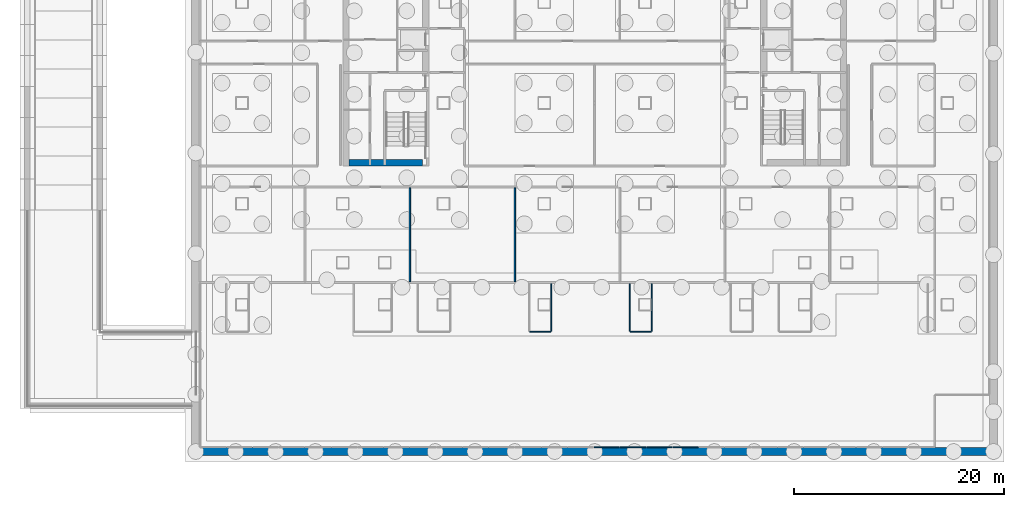
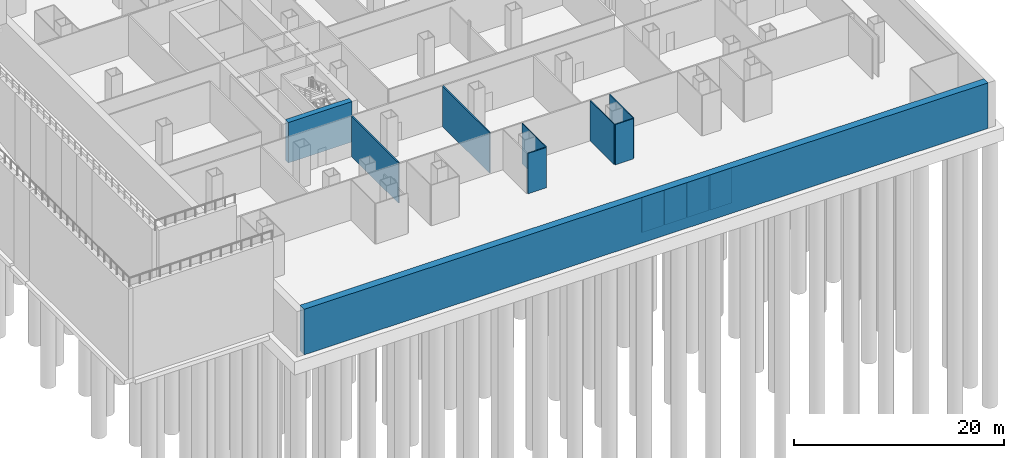
# One storey, part 6 of 17: 13 walls.
"""IFC4 building model written with IfcOpenShell, lengths in metres."""

from ifc_helpers import new_model, si_unit, direction, frame, frame_2d, origin, place, context, subcontext, project, spatial, rectangle, extrude, material, layer, layer_set, type_object, element, save


model = new_model("IFC4")

# Units and contexts
model_context = context("Model", 3, precision=1e-05, world=origin(), true_north=direction((0.0, 1.0)))
body_context = subcontext(model_context, "Body", "Model", "MODEL_VIEW")
ifc_project = project(units=[si_unit("LENGTHUNIT", "METRE"), si_unit("AREAUNIT", "SQUARE_METRE"), si_unit("VOLUMEUNIT", "CUBIC_METRE"), si_unit("PLANEANGLEUNIT", "RADIAN"), si_unit("MASSUNIT", "GRAM", prefix="KILO")], contexts=[model_context])

# Site, building, storey
site_placement = place(None, origin())
site = spatial("IfcSite", under=ifc_project, at=site_placement, CompositionType="ELEMENT")
building_placement = place(site_placement, origin())
building = spatial("IfcBuilding", under=site, at=building_placement, Name="Cobrizo Arcos Hotel Tower", CompositionType="ELEMENT")
storey_placement = place(building_placement, frame((0.0, 0.0, -10.0)))
storey = spatial("IfcBuildingStorey", under=building, at=storey_placement, Name="B2", CompositionType="ELEMENT", Elevation=-10.0)

# Walls
ifc_material_1 = material(Name="Gypsum board partition")
ifc_layer_1 = layer(ifc_material_1, 0.14990234375)
ifc_layer_set_1 = layer_set([ifc_layer_1], Name="Corridor wall EI 60 150")
wall_type_1 = type_object("IfcWallType", Name="Corridor wall EI 60 150", PredefinedType="PARTITIONING", material=ifc_layer_set_1)
for number, where, z_axis, x_axis, name in (
    (1, (-17.60009765625, -21.824951171875, 0.0), (0.0, 0.0, 1.0), (0.0, 1.0, 0.0), "Partition 168"),
    (2, (-7.60009765625, -21.824951171875, 0.0), (0.0, 0.0, 1.0), (0.0, 1.0, 0.0), "Partition 179"),
):
    element("IfcWall", number, at=place(storey_placement, frame(where, z_axis=z_axis, x_axis=x_axis)), inside=storey, type_object=wall_type_1, Name=name, PredefinedType="PARTITIONING", context=body_context, shape_type="SweptSolid", body=[
        extrude(rectangle(XDim=8.949951171875, YDim=0.14990234375, at=frame_2d((4.47509765625, 0.0))), origin(), (0.0, 0.0, 1.0), 4.699951171875),
    ])
ifc_layer_2 = layer(ifc_material_1, 0.10009765625)
ifc_layer_set_2 = layer_set([ifc_layer_2], Name="Partition EI 30 100")
wall_type_2 = type_object("IfcWallType", Name="Partition EI 30 100", PredefinedType="PARTITIONING", material=ifc_layer_set_2)
for number, where, z_axis, x_axis, name in (
    (3, (-0.050048828125, -37.60009765625, 0.0), (0.0, 0.0, 1.0), (1.0, 0.0, 0.0), "Partition 016"),
    (4, (2.449951171875, -37.60009765625, 0.0), (0.0, 0.0, 1.0), (1.0, 0.0, 0.0), "Partition 017"),
    (5, (4.949951171875, -37.60009765625, 0.0), (0.0, 0.0, 1.0), (1.0, 0.0, 0.0), "Partition 018"),
    (6, (7.449951171875, -37.60009765625, 0.0), (0.0, 0.0, 1.0), (1.0, 0.0, 0.0), "Partition 019"),
):
    element("IfcWall", number, at=place(storey_placement, frame(where, z_axis=z_axis, x_axis=x_axis)), inside=storey, type_object=wall_type_2, Name=name, PredefinedType="PARTITIONING", context=body_context, shape_type="SweptSolid", body=[
        extrude(rectangle(XDim=2.400146484375, YDim=0.10009765625, at=frame_2d((1.2001953125, 0.0))), origin(), (0.0, 0.0, 1.0), 4.077880859375),
    ])
for number, where, z_axis, x_axis, name in (
    (7, (-6.199951171875, -26.60009765625, 0.0), (0.0, 0.0, 1.0), (1.0, 0.0, 0.0), "Partition 033"),
    (8, (3.39990234375, -26.60009765625, 0.0), (0.0, 0.0, 1.0), (1.0, 0.0, 0.0), "Partition 034"),
):
    element("IfcWall", number, at=place(storey_placement, frame(where, z_axis=z_axis, x_axis=x_axis)), inside=storey, type_object=wall_type_2, Name=name, PredefinedType="PARTITIONING", context=body_context, shape_type="SweptSolid", body=[
        extrude(rectangle(XDim=2.0, YDim=0.10009765625, at=frame_2d((1.0, 0.0))), origin(), (0.0, 0.0, 1.0), 4.699951171875),
    ])
for number, where, z_axis, x_axis, name in (
    (9, (-4.14990234375, -26.550048828125, 0.0), (0.0, 0.0, 1.0), (0.0, 1.0, 0.0), "Partition 184"),
    (10, (3.35009765625, -26.550048828125, 0.0), (0.0, 0.0, 1.0), (0.0, 1.0, 0.0), "Partition 193"),
    (11, (5.449951171875, -26.550048828125, 0.0), (0.0, 0.0, 1.0), (0.0, 1.0, 0.0), "Partition 195"),
):
    element("IfcWall", number, at=place(storey_placement, frame(where, z_axis=z_axis, x_axis=x_axis)), inside=storey, type_object=wall_type_2, Name=name, PredefinedType="PARTITIONING", context=body_context, shape_type="SweptSolid", body=[
        extrude(rectangle(XDim=4.525146484375, YDim=0.10009765625, at=frame_2d((2.2626953125, 0.0))), origin(), (0.0, 0.0, 1.0), 4.699951171875),
    ])
ifc_material_2 = material(Name="Concrete f'c 60 MPa", Category="concrete")
ifc_layer_3 = layer(ifc_material_2, 0.60009765625)
ifc_layer_set_3 = layer_set([ifc_layer_3], Name="RC core wall 600 f'c 60")
wall_type_3 = type_object("IfcWallType", Name="RC core wall 600 f'c 60", PredefinedType="SHEAR", material=ifc_layer_set_3)
wall_1_placement = place(storey_placement, frame((-23.39990234375, -10.5, 0.0), z_axis=(0.0, 0.0, 1.0), x_axis=(1.0, 0.0, 0.0)))
element("IfcWall", 12, at=wall_1_placement, inside=storey, type_object=wall_type_3, Name="Core wall CW1, west core, south end, B2", PredefinedType="SHEAR", context=body_context, shape_type="SweptSolid", body=[
    extrude(rectangle(XDim=7.0, YDim=0.60009765625, at=frame_2d((3.5, 0.0))), origin(), (0.0, 0.0, 1.0), 4.699951171875),
])
ifc_material_3 = material(Name="Concrete f'c 40 MPa", Category="concrete")
ifc_layer_4 = layer(ifc_material_3, 0.800048828125)
ifc_layer_set_4 = layer_set([ifc_layer_4], Name="Retaining wall 800 f'c 40")
wall_type_4 = type_object("IfcWallType", Name="Retaining wall 800 f'c 40", PredefinedType="SOLIDWALL", material=ifc_layer_set_4)
wall_2_placement = place(storey_placement, frame((-37.60009765625, -38.0, -0.60009765625), z_axis=(0.0, 0.0, 1.0), x_axis=(1.0, 0.0, 0.0)))
element("IfcWall", 13, at=wall_2_placement, inside=storey, type_object=wall_type_4, Name="Retaining wall RW-B2-S, south side, B2", PredefinedType="SOLIDWALL", context=body_context, shape_type="SweptSolid", body=[
    extrude(rectangle(XDim=75.2001953125, YDim=0.800048828125, at=frame_2d((37.60009765625, 0.0))), origin(), (0.0, 0.0, 1.0), 5.300048828125),
])

save(model, "model.ifc")
